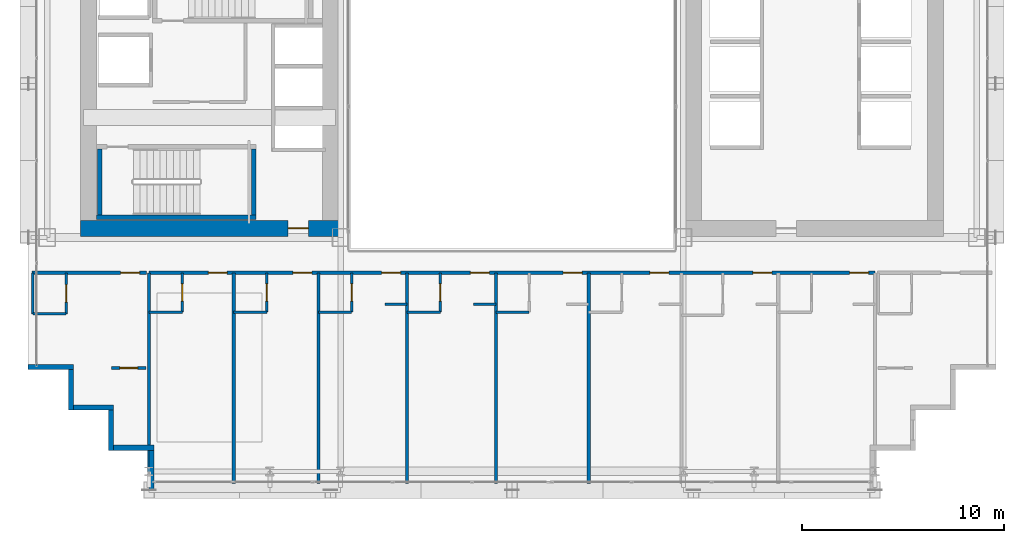
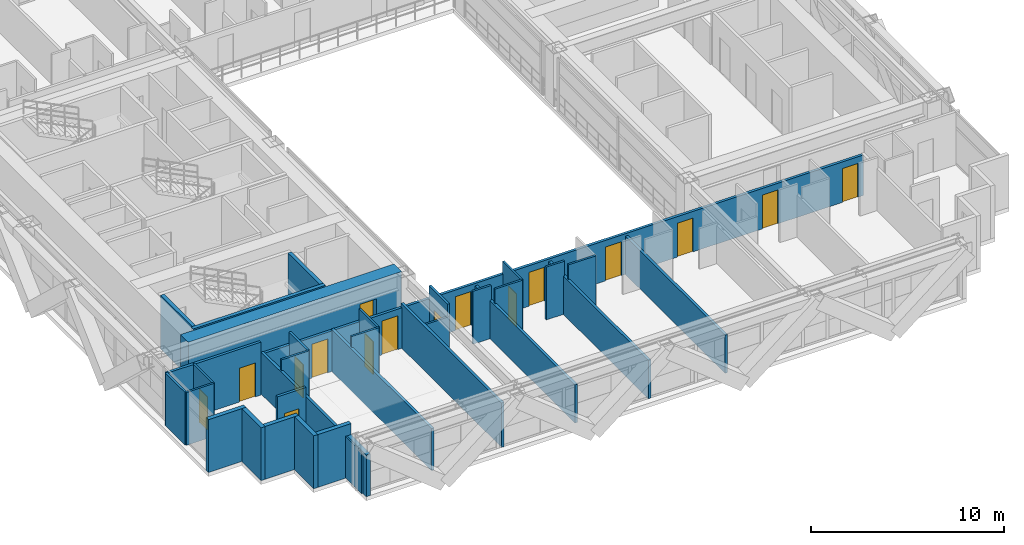
# One storey, part 33 of 41: 33 walls, 16 doors, 16 openings.
"""IFC4 building model written with IfcOpenShell, lengths in metres."""

import ifcopenshell
import ifcopenshell.guid

model = None  # the IFC model being written
_history = None  # IfcOwnerHistory: only IFC2X3 demands one
_inside = {}  # id of a spatial element -> (the spatial element, [elements in it])
_under = {}  # id of a project, library or spatial element -> (it, [spatial elements below it])
_declared = {}  # id of a project -> (the project, [libraries it declares])
_typed = {}  # id of a type object -> (the type object, [elements of that type])
_made_of = {}  # id of a material, layer set ... -> (it, [elements and type objects made of it])


def new_model(schema):
    """Start an empty IFC model of exactly this schema.

    Asked for "IFC4X3", IfcOpenShell would pick the latest addendum, in which some entities
    have other attributes; the version numbers below select the first issue.
    IFC2X3 requires an IfcOwnerHistory on every rooted entity: one is made here for all.
    """
    global model, _history
    if schema == "IFC4X3":
        model = ifcopenshell.file(schema_version=(4, 3, 0, 0))
    else:
        model = ifcopenshell.file(schema=schema)
    _inside.clear()
    _under.clear()
    _declared.clear()
    _typed.clear()
    _made_of.clear()
    _history = None
    if model.schema == "IFC2X3":
        org = make("IfcOrganization", Name="unknown")
        user = make(
            "IfcPersonAndOrganization",
            ThePerson=make("IfcPerson", FamilyName="unknown"),
            TheOrganization=org,
        )
        app = make(
            "IfcApplication",
            ApplicationDeveloper=org,
            Version="unknown",
            ApplicationFullName="unknown",
            ApplicationIdentifier="unknown",
        )
        _history = make(
            "IfcOwnerHistory",
            OwningUser=user,
            OwningApplication=app,
            ChangeAction="ADDED",
            CreationDate=0,
        )
    return model


def make(cls, **values):
    """One entity of the class cls with the attributes given. An attribute that is None is left unset."""
    return model.create_entity(
        cls, **{name: value for name, value in values.items() if value is not None}
    )


def rooted(cls, **values):
    """An entity with a GlobalId (a new one), such as an element, a storey or a relation."""
    return make(cls, GlobalId=ifcopenshell.guid.new(), OwnerHistory=_history, **values)


def si_unit(unit_type, name, prefix=None):
    """IfcSIUnit, for example si_unit("LENGTHUNIT", "METRE", prefix="MILLI")."""
    return make("IfcSIUnit", UnitType=unit_type, Prefix=prefix, Name=name)


def assignment(units):
    """IfcUnitAssignment: the units of a project."""
    return None if units is None else make("IfcUnitAssignment", Units=units)


def point(xyz):
    """IfcCartesianPoint."""
    return None if xyz is None else make("IfcCartesianPoint", Coordinates=xyz)


def direction(xyz):
    """IfcDirection."""
    return None if xyz is None else make("IfcDirection", DirectionRatios=xyz)


def frame(location, z_axis=None, x_axis=None):
    """IfcAxis2Placement3D, a coordinate frame: its origin and axes. An axis left out is left unset."""
    return make(
        "IfcAxis2Placement3D",
        Location=point(location),
        Axis=direction(z_axis),
        RefDirection=direction(x_axis),
    )


def frame_2d(location, x_axis=None):
    """IfcAxis2Placement2D, a coordinate frame in the plane: its origin and x axis."""
    return make(
        "IfcAxis2Placement2D", Location=point(location), RefDirection=direction(x_axis)
    )


def origin():
    """The frame at (0, 0, 0) with its axes left unset."""
    return frame((0.0, 0.0, 0.0))


def place(relative_to, where):
    """IfcLocalPlacement: puts the frame where relative to a parent placement (None: the world)."""
    return make(
        "IfcLocalPlacement", PlacementRelTo=relative_to, RelativePlacement=where
    )


def context(
    kind, dimensions, precision=None, world=None, true_north=None, identifier=None
):
    """IfcGeometricRepresentationContext, for example the 3D "Model" context."""
    return make(
        "IfcGeometricRepresentationContext",
        ContextIdentifier=identifier,
        ContextType=kind,
        CoordinateSpaceDimension=dimensions,
        Precision=precision,
        WorldCoordinateSystem=world,
        TrueNorth=true_north,
    )


def subcontext(parent, identifier, kind, view, scale=None):
    """IfcGeometricRepresentationSubContext, for example "Body" below "Model"."""
    return make(
        "IfcGeometricRepresentationSubContext",
        ContextIdentifier=identifier,
        ContextType=kind,
        ParentContext=parent,
        TargetScale=scale,
        TargetView=view,
    )


def project(units=None, contexts=None):
    """IfcProject with its units and contexts."""
    return rooted(
        "IfcProject",
        Name="project",
        RepresentationContexts=contexts,
        UnitsInContext=assignment(units),
    )


def spatial(cls, under=None, at=None, **own):
    """A site, building, storey or space (cls), placed at a placement, below another one or the project."""
    s = rooted(cls, ObjectPlacement=at, **own)
    if under is not None:
        _under.setdefault(under.id(), (under, []))[1].append(s)
    return s


def profile(cls, at=None, kind="AREA", **sizes):
    """A parametric profile (cls). Its sizes go by their IFC names, for example OverallWidth=200.0."""
    return make(cls, ProfileType=kind, Position=at, **sizes)


def rectangle(**sizes):
    """IfcRectangleProfileDef."""
    return profile("IfcRectangleProfileDef", **sizes)


def extrude(swept, where, along, depth):
    """IfcExtrudedAreaSolid: the profile swept, set in the frame where, extruded along a direction by depth."""
    return make(
        "IfcExtrudedAreaSolid",
        SweptArea=swept,
        Position=where,
        ExtrudedDirection=direction(along),
        Depth=depth,
    )


def shape(context_of_items, identifier, shape_type, items):
    """IfcShapeRepresentation: the items that make up one representation, for example the "Body"."""
    return make(
        "IfcShapeRepresentation",
        ContextOfItems=context_of_items,
        RepresentationIdentifier=identifier,
        RepresentationType=shape_type,
        Items=items,
    )


def source(mapping_origin, context_of_items, identifier, shape_type, items):
    """IfcRepresentationMap: a shape defined once, which mapped items show again and again."""
    return make(
        "IfcRepresentationMap",
        MappingOrigin=mapping_origin,
        MappedRepresentation=shape(context_of_items, identifier, shape_type, items),
    )


def transform(
    local_origin,
    x_axis=None,
    y_axis=None,
    z_axis=None,
    scale=None,
    scale2=None,
    scale3=None,
    uniform=True,
):
    """IfcCartesianTransformationOperator3D, or its non-uniform kind. x_axis, y_axis, z_axis: its Axis1, 2, 3."""
    if uniform:
        return make(
            "IfcCartesianTransformationOperator3D",
            Axis1=direction(x_axis),
            Axis2=direction(y_axis),
            LocalOrigin=point(local_origin),
            Scale=scale,
            Axis3=direction(z_axis),
        )
    return make(
        "IfcCartesianTransformationOperator3DnonUniform",
        Axis1=direction(x_axis),
        Axis2=direction(y_axis),
        LocalOrigin=point(local_origin),
        Scale=scale,
        Axis3=direction(z_axis),
        Scale2=scale2,
        Scale3=scale3,
    )


def mapped(mapping_source, mapping_target):
    """IfcMappedItem: shows the shape of a source again, moved by a transform."""
    return make(
        "IfcMappedItem", MappingSource=mapping_source, MappingTarget=mapping_target
    )


def material(Name=None, Category=None):
    """IfcMaterial."""
    return make("IfcMaterial", Name=Name, Category=Category)


def layer(
    of_material, thickness, ventilated=None, Name=None, Category=None, Priority=None
):
    """IfcMaterialLayer: one layer of a wall or slab, of a material (None: an air gap)."""
    return make(
        "IfcMaterialLayer",
        Material=of_material,
        LayerThickness=thickness,
        IsVentilated=ventilated,
        Name=Name,
        Category=Category,
        Priority=Priority,
    )


def layer_set(layers, Name=None):
    """IfcMaterialLayerSet."""
    return make("IfcMaterialLayerSet", MaterialLayers=layers, LayerSetName=Name)


def made_of(thing, what):
    """Note that an element or type object is made of a material, layer set ...; save() writes the relation."""
    if what is not None:
        _made_of.setdefault(what.id(), (what, []))[1].append(thing)
    return thing


def type_object(cls, material=None, **own):
    """A type object (cls), such as IfcWallType, which elements share."""
    return made_of(rooted(cls, **own), material)


def element(
    cls,
    number,
    at=None,
    inside=None,
    cuts=None,
    type_object=None,
    material=None,
    context=None,
    identifier="Body",
    shape_type=None,
    held_by="IfcProductDefinitionShape",
    body=None,
    shapes=None,
    **own,
):
    """One element of the class cls, such as IfcWall. Its Tag is "e" and its number.

    at: its placement. inside: the storey or other place that contains it. cuts: it is an
    opening in that element (IfcRelVoidsElement). A single representation is given by context,
    identifier, shape_type and body (its items); several are given by shapes. held_by: the class
    of the entity that holds the representations. save() writes the other relations.
    """
    e = rooted(cls, Tag="e%d" % number, ObjectPlacement=at, **own)
    if body is not None:
        shapes = [shape(context, identifier, shape_type, body)]
    if shapes is not None:
        e.Representation = make(held_by, Representations=shapes)
    if inside is not None:
        _inside.setdefault(inside.id(), (inside, []))[1].append(e)
    if cuts is not None:
        rooted(
            "IfcRelVoidsElement", RelatingBuildingElement=cuts, RelatedOpeningElement=e
        )
    if type_object is not None:
        _typed.setdefault(type_object.id(), (type_object, []))[1].append(e)
    return made_of(e, material)


def fill(opening, filler):
    """IfcRelFillsElement: the door or window that sits in an opening."""
    return rooted(
        "IfcRelFillsElement",
        RelatingOpeningElement=opening,
        RelatedBuildingElement=filler,
    )


def aggregate(whole, parts):
    """IfcRelAggregates: a whole, such as a stair, and the parts it consists of."""
    return rooted("IfcRelAggregates", RelatingObject=whole, RelatedObjects=parts)


def save(model, path):
    """Write the relations noted so far, then the file.

    IfcRelAggregates (storeys below a building ...), IfcRelContainedInSpatialStructure (elements
    in a storey), IfcRelDefinesByType, IfcRelAssociatesMaterial and IfcRelDeclares: one each for
    every whole, place, type object, material and project.
    """
    for whole, parts in _under.values():
        aggregate(whole, parts)
    for where, things in _inside.values():
        rooted(
            "IfcRelContainedInSpatialStructure",
            RelatedElements=things,
            RelatingStructure=where,
        )
    for kind, things in _typed.values():
        rooted("IfcRelDefinesByType", RelatedObjects=things, RelatingType=kind)
    for what, things in _made_of.values():
        rooted("IfcRelAssociatesMaterial", RelatedObjects=things, RelatingMaterial=what)
    for by, libraries in _declared.values():
        rooted("IfcRelDeclares", RelatingContext=by, RelatedDefinitions=libraries)
    model.write(path)


model = new_model("IFC4")

# Units and contexts
model_context = context("Model", 3, precision=1e-05, world=origin(), true_north=direction((0.0, 1.0)))
body_context = subcontext(model_context, "Body", "Model", "MODEL_VIEW")
ifc_project = project(units=[si_unit("LENGTHUNIT", "METRE"), si_unit("AREAUNIT", "SQUARE_METRE"), si_unit("VOLUMEUNIT", "CUBIC_METRE"), si_unit("PLANEANGLEUNIT", "RADIAN"), si_unit("MASSUNIT", "GRAM", prefix="KILO")], contexts=[model_context])

# Site, building, storey
site_placement = place(None, origin())
site = spatial("IfcSite", under=ifc_project, at=site_placement, CompositionType="ELEMENT")
building_placement = place(site_placement, origin())
building = spatial("IfcBuilding", under=site, at=building_placement, Name="Ocotamira Hotel", CompositionType="ELEMENT")
storey_placement = place(building_placement, frame((0.0, 0.0, 38.39990234375)))
storey = spatial("IfcBuildingStorey", under=building, at=storey_placement, Name="L08", CompositionType="ELEMENT", Elevation=38.39990234375)

# Wall, opening, door
ifc_material_1 = material(Name="Concrete C60/75", Category="concrete")
ifc_layer_1 = layer(ifc_material_1, 0.800048828125)
ifc_layer_set_1 = layer_set([ifc_layer_1], Name="Concrete C60/75")
wall_type_1 = type_object("IfcWallType", Name="WL-CORE-800", PredefinedType="SHEAR", material=ifc_layer_set_1)
wall_1_placement = place(storey_placement, frame((10.60009765625, 15.0, 0.0), z_axis=(0.0, 0.0, 1.0), x_axis=(1.0, 0.0, 0.0)))
wall_1 = element("IfcWall", 1, at=wall_1_placement, inside=storey, type_object=wall_type_1, Name="L08 Shear Core Wall WCORE-S", PredefinedType="SHEAR", context=body_context, shape_type="SweptSolid", body=[
    extrude(rectangle(XDim=12.7998046875, YDim=0.800048828125, at=frame_2d((6.39990234375, 0.0))), origin(), (0.0, 0.0, 1.0), 3.35009765625),
])
opening_1_placement = place(wall_1_placement, frame((10.300048828125, 0.0, 0.0)))
opening_1 = element("IfcOpeningElement", 2, at=opening_1_placement, cuts=wall_1, Name="Opening D-FR2", PredefinedType="OPENING", context=body_context, shape_type="SweptSolid", body=[
    extrude(rectangle(XDim=1.0, YDim=2.14990234375, at=frame_2d((0.5, 1.074951171875))), frame((0.0, 0.41015625, 0.0), z_axis=(0.0, -1.0, 0.0), x_axis=(1.0, 0.0, 0.0)), (0.0, 0.0, 1.0), 0.820068359375),
])
ifc_material_2 = material(Name="Fire-rated acoustic timber-veneer door", Category="wood")
door_type_1 = type_object("IfcDoorType", Name="DR-FIRE-1000", OperationType="NOTDEFINED", PredefinedType="DOOR", material=ifc_material_2)
shared_shape_1 = source(origin(), body_context, "Body", "SweptSolid", [
    extrude(rectangle(XDim=1.0, YDim=2.14990234375, at=frame_2d((0.5, 1.074951171875))), frame((0.0, 0.02490234375, 0.0), z_axis=(0.0, -1.0, 0.0), x_axis=(1.0, 0.0, 0.0)), (0.0, 0.0, 1.0), 0.050048828125),
])
door_1_placement = place(opening_1_placement, origin())
door_1 = element("IfcDoor", 3, at=door_1_placement, inside=storey, type_object=door_type_1, Name="L08 Door ID-L08-WLOB-S-D [ID-L08-WLOB-S-D]", OperationType="SINGLE_SWING_LEFT", OverallHeight=2.14990234375, OverallWidth=1.0, PredefinedType="DOOR", context=body_context, shape_type="MappedRepresentation", body=[
    mapped(shared_shape_1, transform((0.0, 0.0, 0.0), scale=1.0)),
])
fill(opening_1, door_1)

# Walls
ifc_material_3 = material(Name="Precast concrete C45/55", Category="concrete")
ifc_layer_2 = layer(ifc_material_3, 0.25)
ifc_layer_set_2 = layer_set([ifc_layer_2], Name="Precast concrete C45/55")
wall_type_2 = type_object("IfcWallType", Name="WL-EXT-SER-250", PredefinedType="SOLIDWALL", material=ifc_layer_set_2)
wall_2_placement = place(storey_placement, frame((8.0, 8.125, 0.0), z_axis=(0.0, 0.0, 1.0), x_axis=(1.0, 0.0, 0.0)))
element("IfcWall", 4, at=wall_2_placement, inside=storey, type_object=wall_type_2, Name="L08 Serrated Corner Wall 19", PredefinedType="SOLIDWALL", context=body_context, shape_type="SweptSolid", body=[
    extrude(rectangle(XDim=2.25, YDim=0.25, at=frame_2d((1.125, 0.0))), origin(), (0.0, 0.0, 1.0), 3.35009765625),
])
for number, where, z_axis, x_axis, name in (
    (5, (10.125, 8.0, 0.0), (0.0, 0.0, 1.0), (0.0, -1.0, 0.0), "L08 Serrated Corner Wall 20"),
    (6, (10.25, 6.125, 0.0), (0.0, 0.0, 1.0), (1.0, 0.0, 0.0), "L08 Serrated Corner Wall 21"),
    (7, (12.125, 6.0, 0.0), (0.0, 0.0, 1.0), (0.0, -1.0, 0.0), "L08 Serrated Corner Wall 22"),
    (8, (12.25, 4.125, 0.0), (0.0, 0.0, 1.0), (1.0, 0.0, 0.0), "L08 Serrated Corner Wall 23"),
):
    element("IfcWall", number, at=place(storey_placement, frame(where, z_axis=z_axis, x_axis=x_axis)), inside=storey, type_object=wall_type_2, Name=name, PredefinedType="SOLIDWALL", context=body_context, shape_type="SweptSolid", body=[
        extrude(rectangle(XDim=2.0, YDim=0.25, at=frame_2d((1.0, 0.0))), origin(), (0.0, 0.0, 1.0), 3.35009765625),
    ])
wall_3_placement = place(storey_placement, frame((14.125, 4.0, 0.0), z_axis=(0.0, 0.0, 1.0), x_axis=(0.0, -1.0, 0.0)))
element("IfcWall", 9, at=wall_3_placement, inside=storey, type_object=wall_type_2, Name="L08 Serrated Corner Wall 24", PredefinedType="SOLIDWALL", context=body_context, shape_type="SweptSolid", body=[
    extrude(rectangle(XDim=2.0, YDim=0.25, at=frame_2d((1.0, 0.0))), origin(), (0.0, 0.0, 1.0), 2.656982421875),
])

# Wall, opening, door
ifc_material_4 = material(Name="Acoustic double-layer fire gypsum board partition", Category="gypsum")
ifc_layer_3 = layer(ifc_material_4, 0.159912109375)
ifc_layer_set_3 = layer_set([ifc_layer_3], Name="Acoustic double-layer fire gypsum board partition")
wall_type_3 = type_object("IfcWallType", Name="WL-FIRE-160", PredefinedType="PARTITIONING", material=ifc_layer_set_3)
wall_4_placement = place(storey_placement, frame((8.199951171875, 12.800048828125, 0.0), z_axis=(0.0, 0.0, 1.0), x_axis=(1.0, 0.0, 0.0)))
wall_4 = element("IfcWall", 10, at=wall_4_placement, inside=storey, type_object=wall_type_3, Name="L08 Interior Wall PW-L08-Z1A-CSW-CW", PredefinedType="PARTITIONING", context=body_context, shape_type="SweptSolid", body=[
    extrude(rectangle(XDim=5.679931640625, YDim=0.159912109375, at=frame_2d((2.83984375, 0.0))), origin(), (0.0, 0.0, 1.0), 3.35009765625),
])
opening_2_placement = place(wall_4_placement, frame((4.39990234375, 0.0, 0.0)))
opening_2 = element("IfcOpeningElement", 11, at=opening_2_placement, cuts=wall_4, Name="Opening D-GR1", PredefinedType="OPENING", context=body_context, shape_type="SweptSolid", body=[
    extrude(rectangle(XDim=0.93994140625, YDim=2.14990234375, at=frame_2d((0.469970703125, 1.074951171875))), frame((0.0, 0.08984375, 0.0), z_axis=(0.0, -1.0, 0.0), x_axis=(1.0, 0.0, 0.0)), (0.0, 0.0, 1.0), 0.179931640625),
])
ifc_material_5 = material(Name="Solid-core walnut suite entrance fire door", Category="wood")
door_type_2 = type_object("IfcDoorType", Name="DR-GUEST-940", OperationType="NOTDEFINED", PredefinedType="DOOR", material=ifc_material_5)
shared_shape_2 = source(origin(), body_context, "Body", "SweptSolid", [
    extrude(rectangle(XDim=0.93994140625, YDim=2.14990234375, at=frame_2d((0.469970703125, 1.074951171875))), frame((0.0, 0.02490234375, 0.0), z_axis=(0.0, -1.0, 0.0), x_axis=(1.0, 0.0, 0.0)), (0.0, 0.0, 1.0), 0.050048828125),
])
door_2_placement = place(opening_2_placement, origin())
door_2 = element("IfcDoor", 12, at=door_2_placement, inside=storey, type_object=door_type_2, Name="L08 Door ID-L08-Z1A-CSW-CD [ID-L08-Z1A-CSW-CD]", OperationType="SINGLE_SWING_RIGHT", OverallHeight=2.14990234375, OverallWidth=0.93994140625, PredefinedType="DOOR", context=body_context, shape_type="MappedRepresentation", body=[
    mapped(shared_shape_2, transform((0.0, 0.0, 0.0), scale=1.0)),
])
fill(opening_2, door_2)

wall_5_placement = place(storey_placement, frame((12.14990234375, 8.080078125, 0.0), z_axis=(0.0, 0.0, 1.0), x_axis=(1.0, 0.0, 0.0)))
wall_5 = element("IfcWall", 13, at=wall_5_placement, inside=storey, type_object=wall_type_3, Name="L08 Interior Wall PW-L08-Z1A-CSW2-CW", PredefinedType="PARTITIONING", context=body_context, shape_type="SweptSolid", body=[
    extrude(rectangle(XDim=1.7001953125, YDim=0.159912109375, at=frame_2d((0.85009765625, 0.0))), origin(), (0.0, 0.0, 1.0), 3.35009765625),
])
opening_3_placement = place(wall_5_placement, frame((0.409912109375, 0.0, 0.0)))
opening_3 = element("IfcOpeningElement", 14, at=opening_3_placement, cuts=wall_5, Name="Opening D-SV2", PredefinedType="OPENING", context=body_context, shape_type="SweptSolid", body=[
    extrude(rectangle(XDim=0.8798828125, YDim=2.14990234375, at=frame_2d((0.43994140625, 1.074951171875))), frame((0.0, 0.08984375, 0.0), z_axis=(0.0, -1.0, 0.0), x_axis=(1.0, 0.0, 0.0)), (0.0, 0.0, 1.0), 0.179931640625),
])
ifc_material_6 = material(Name="Fire-rated painted steel service door", Category="steel")
door_type_3 = type_object("IfcDoorType", Name="DR-SERV-880", OperationType="NOTDEFINED", PredefinedType="DOOR", material=ifc_material_6)
shared_shape_3 = source(origin(), body_context, "Body", "SweptSolid", [
    extrude(rectangle(XDim=0.8798828125, YDim=2.14990234375, at=frame_2d((0.43994140625, 1.074951171875))), frame((0.0, 0.02490234375, 0.0), z_axis=(0.0, -1.0, 0.0), x_axis=(1.0, 0.0, 0.0)), (0.0, 0.0, 1.0), 0.050048828125),
])
door_3_placement = place(opening_3_placement, origin())
door_3 = element("IfcDoor", 15, at=door_3_placement, inside=storey, type_object=door_type_3, Name="L08 Door ID-L08-Z1A-CSW2-CD [ID-L08-Z1A-CSW2-CD]", OperationType="SINGLE_SWING_LEFT", OverallHeight=2.14990234375, OverallWidth=0.8798828125, PredefinedType="DOOR", context=body_context, shape_type="MappedRepresentation", body=[
    mapped(shared_shape_3, transform((0.0, 0.0, 0.0), scale=1.0)),
])
fill(opening_3, door_3)

# Wall, openings, doors
wall_6_placement = place(storey_placement, frame((14.0, 12.800048828125, 0.0), z_axis=(0.0, 0.0, 1.0), x_axis=(1.0, 0.0, 0.0)))
wall_6 = element("IfcWall", 16, at=wall_6_placement, inside=storey, type_object=wall_type_3, Name="L08 Interior Wall PW-L08-Z1AS-CORRW", PredefinedType="PARTITIONING", context=body_context, shape_type="SweptSolid", body=[
    extrude(rectangle(XDim=36.0, YDim=0.159912109375, at=frame_2d((18.0, 0.0))), origin(), (0.0, 0.0, 1.0), 2.571044921875),
])
opening_4_placement = place(wall_6_placement, frame((2.93994140625, 0.0, 0.0)))
opening_4 = element("IfcOpeningElement", 17, at=opening_4_placement, cuts=wall_6, Name="Opening D-GR1", PredefinedType="OPENING", context=body_context, shape_type="SweptSolid", body=[
    extrude(rectangle(XDim=0.93994140625, YDim=2.14990234375, at=frame_2d((0.469970703125, 1.074951171875))), frame((0.0, 0.08984375, 0.0), z_axis=(0.0, -1.0, 0.0), x_axis=(1.0, 0.0, 0.0)), (0.0, 0.0, 1.0), 0.179931640625),
])
opening_5_placement = place(wall_6_placement, frame((7.139892578125, 0.0, 0.0)))
opening_5 = element("IfcOpeningElement", 18, at=opening_5_placement, cuts=wall_6, Name="Opening D-GR1", PredefinedType="OPENING", context=body_context, shape_type="SweptSolid", body=[
    extrude(rectangle(XDim=0.93994140625, YDim=2.14990234375, at=frame_2d((0.469970703125, 1.074951171875))), frame((0.0, 0.08984375, 0.0), z_axis=(0.0, -1.0, 0.0), x_axis=(1.0, 0.0, 0.0)), (0.0, 0.0, 1.0), 0.179931640625),
])
opening_6_placement = place(wall_6_placement, frame((11.5400390625, 0.0, 0.0)))
opening_6 = element("IfcOpeningElement", 19, at=opening_6_placement, cuts=wall_6, Name="Opening D-GR1", PredefinedType="OPENING", context=body_context, shape_type="SweptSolid", body=[
    extrude(rectangle(XDim=0.93994140625, YDim=2.14990234375, at=frame_2d((0.469970703125, 1.074951171875))), frame((0.0, 0.08984375, 0.0), z_axis=(0.0, -1.0, 0.0), x_axis=(1.0, 0.0, 0.0)), (0.0, 0.0, 1.0), 0.179931640625),
])
opening_7_placement = place(wall_6_placement, frame((15.93994140625, 0.0, 0.0)))
opening_7 = element("IfcOpeningElement", 20, at=opening_7_placement, cuts=wall_6, Name="Opening D-GR1", PredefinedType="OPENING", context=body_context, shape_type="SweptSolid", body=[
    extrude(rectangle(XDim=0.93994140625, YDim=2.14990234375, at=frame_2d((0.469970703125, 1.074951171875))), frame((0.0, 0.08984375, 0.0), z_axis=(0.0, -1.0, 0.0), x_axis=(1.0, 0.0, 0.0)), (0.0, 0.0, 1.0), 0.179931640625),
])
opening_8_placement = place(wall_6_placement, frame((20.5400390625, 0.0, 0.0)))
opening_8 = element("IfcOpeningElement", 21, at=opening_8_placement, cuts=wall_6, Name="Opening D-GR1", PredefinedType="OPENING", context=body_context, shape_type="SweptSolid", body=[
    extrude(rectangle(XDim=0.93994140625, YDim=2.14990234375, at=frame_2d((0.469970703125, 1.074951171875))), frame((0.0, 0.08984375, 0.0), z_axis=(0.0, -1.0, 0.0), x_axis=(1.0, 0.0, 0.0)), (0.0, 0.0, 1.0), 0.179931640625),
])
opening_9_placement = place(wall_6_placement, frame((24.840087890625, 0.0, 0.0)))
opening_9 = element("IfcOpeningElement", 22, at=opening_9_placement, cuts=wall_6, Name="Opening D-GR1", PredefinedType="OPENING", context=body_context, shape_type="SweptSolid", body=[
    extrude(rectangle(XDim=0.93994140625, YDim=2.14990234375, at=frame_2d((0.469970703125, 1.074951171875))), frame((0.0, 0.08984375, 0.0), z_axis=(0.0, -1.0, 0.0), x_axis=(1.0, 0.0, 0.0)), (0.0, 0.0, 1.0), 0.179931640625),
])
opening_10_placement = place(wall_6_placement, frame((29.93994140625, 0.0, 0.0)))
opening_10 = element("IfcOpeningElement", 23, at=opening_10_placement, cuts=wall_6, Name="Opening D-GR1", PredefinedType="OPENING", context=body_context, shape_type="SweptSolid", body=[
    extrude(rectangle(XDim=0.93994140625, YDim=2.14990234375, at=frame_2d((0.469970703125, 1.074951171875))), frame((0.0, 0.08984375, 0.0), z_axis=(0.0, -1.0, 0.0), x_axis=(1.0, 0.0, 0.0)), (0.0, 0.0, 1.0), 0.179931640625),
])
opening_11_placement = place(wall_6_placement, frame((34.739990234375, 0.0, 0.0)))
opening_11 = element("IfcOpeningElement", 24, at=opening_11_placement, cuts=wall_6, Name="Opening D-GR1", PredefinedType="OPENING", context=body_context, shape_type="SweptSolid", body=[
    extrude(rectangle(XDim=0.93994140625, YDim=2.14990234375, at=frame_2d((0.469970703125, 1.074951171875))), frame((0.0, 0.08984375, 0.0), z_axis=(0.0, -1.0, 0.0), x_axis=(1.0, 0.0, 0.0)), (0.0, 0.0, 1.0), 0.179931640625),
])
door_4_placement = place(opening_4_placement, origin())
door_4 = element("IfcDoor", 25, at=door_4_placement, inside=storey, type_object=door_type_2, Name="L08 Door ID-L08-Z1AS-RMD1 [ID-L08-Z1AS-RMD1]", OperationType="SINGLE_SWING_LEFT", OverallHeight=2.14990234375, OverallWidth=0.93994140625, PredefinedType="DOOR", context=body_context, shape_type="MappedRepresentation", body=[
    mapped(shared_shape_2, transform((0.0, 0.0, 0.0), scale=1.0)),
])
fill(opening_4, door_4)
door_5_placement = place(opening_5_placement, origin())
door_5 = element("IfcDoor", 26, at=door_5_placement, inside=storey, type_object=door_type_2, Name="L08 Door ID-L08-Z1AS-RMD2 [ID-L08-Z1AS-RMD2]", OperationType="SINGLE_SWING_RIGHT", OverallHeight=2.14990234375, OverallWidth=0.93994140625, PredefinedType="DOOR", context=body_context, shape_type="MappedRepresentation", body=[
    mapped(shared_shape_2, transform((0.0, 0.0, 0.0), scale=1.0)),
])
fill(opening_5, door_5)
door_6_placement = place(opening_6_placement, origin())
door_6 = element("IfcDoor", 27, at=door_6_placement, inside=storey, type_object=door_type_2, Name="L08 Door ID-L08-Z1AS-RMD3 [ID-L08-Z1AS-RMD3]", OperationType="SINGLE_SWING_LEFT", OverallHeight=2.14990234375, OverallWidth=0.93994140625, PredefinedType="DOOR", context=body_context, shape_type="MappedRepresentation", body=[
    mapped(shared_shape_2, transform((0.0, 0.0, 0.0), scale=1.0)),
])
fill(opening_6, door_6)
door_7_placement = place(opening_7_placement, origin())
door_7 = element("IfcDoor", 28, at=door_7_placement, inside=storey, type_object=door_type_2, Name="L08 Door ID-L08-Z1AS-RMD4 [ID-L08-Z1AS-RMD4]", OperationType="SINGLE_SWING_RIGHT", OverallHeight=2.14990234375, OverallWidth=0.93994140625, PredefinedType="DOOR", context=body_context, shape_type="MappedRepresentation", body=[
    mapped(shared_shape_2, transform((0.0, 0.0, 0.0), scale=1.0)),
])
fill(opening_7, door_7)
door_8_placement = place(opening_8_placement, origin())
door_8 = element("IfcDoor", 29, at=door_8_placement, inside=storey, type_object=door_type_2, Name="L08 Door ID-L08-Z1AS-RMD5 [ID-L08-Z1AS-RMD5]", OperationType="SINGLE_SWING_LEFT", OverallHeight=2.14990234375, OverallWidth=0.93994140625, PredefinedType="DOOR", context=body_context, shape_type="MappedRepresentation", body=[
    mapped(shared_shape_2, transform((0.0, 0.0, 0.0), scale=1.0)),
])
fill(opening_8, door_8)
door_9_placement = place(opening_9_placement, origin())
door_9 = element("IfcDoor", 30, at=door_9_placement, inside=storey, type_object=door_type_2, Name="L08 Door ID-L08-Z1AS-RMD6 [ID-L08-Z1AS-RMD6]", OperationType="SINGLE_SWING_RIGHT", OverallHeight=2.14990234375, OverallWidth=0.93994140625, PredefinedType="DOOR", context=body_context, shape_type="MappedRepresentation", body=[
    mapped(shared_shape_2, transform((0.0, 0.0, 0.0), scale=1.0)),
])
fill(opening_9, door_9)
door_10_placement = place(opening_10_placement, origin())
door_10 = element("IfcDoor", 31, at=door_10_placement, inside=storey, type_object=door_type_2, Name="L08 Door ID-L08-Z1AS-RMD7 [ID-L08-Z1AS-RMD7]", OperationType="SINGLE_SWING_LEFT", OverallHeight=2.14990234375, OverallWidth=0.93994140625, PredefinedType="DOOR", context=body_context, shape_type="MappedRepresentation", body=[
    mapped(shared_shape_2, transform((0.0, 0.0, 0.0), scale=1.0)),
])
fill(opening_10, door_10)
door_11_placement = place(opening_11_placement, origin())
door_11 = element("IfcDoor", 32, at=door_11_placement, inside=storey, type_object=door_type_2, Name="L08 Door ID-L08-Z1AS-RMD8 [ID-L08-Z1AS-RMD8]", OperationType="SINGLE_SWING_RIGHT", OverallHeight=2.14990234375, OverallWidth=0.93994140625, PredefinedType="DOOR", context=body_context, shape_type="MappedRepresentation", body=[
    mapped(shared_shape_2, transform((0.0, 0.0, 0.0), scale=1.0)),
])
fill(opening_11, door_11)

# Wall, opening, door
ifc_material_7 = material(Name="Moisture-resistant en-suite tile and gypsum partition", Category="gypsum")
ifc_layer_4 = layer(ifc_material_7, 0.1201171875)
ifc_layer_set_4 = layer_set([ifc_layer_4], Name="Moisture-resistant en-suite tile and gypsum partition")
wall_type_4 = type_object("IfcWallType", Name="WL-PART-120", PredefinedType="PARTITIONING", material=ifc_layer_set_4)
wall_7_placement = place(storey_placement, frame((9.889892578125, 10.760009765625, 0.0), z_axis=(0.0, 0.0, 1.0), x_axis=(0.0, 1.0, 0.0)))
wall_7 = element("IfcWall", 33, at=wall_7_placement, inside=storey, type_object=wall_type_4, Name="L08 Interior Wall PW-L08-Z1A-CSW-BE", PredefinedType="PARTITIONING", context=body_context, shape_type="SweptSolid", body=[
    extrude(rectangle(XDim=2.0400390625, YDim=0.1201171875, at=frame_2d((1.02001953125, 0.0))), origin(), (0.0, 0.0, 1.0), 3.35009765625),
])
opening_12_placement = place(wall_7_placement, frame((0.590087890625, 0.0, 0.0)))
opening_12 = element("IfcOpeningElement", 34, at=opening_12_placement, cuts=wall_7, Name="Opening D-BA1", PredefinedType="OPENING", context=body_context, shape_type="SweptSolid", body=[
    extrude(rectangle(XDim=0.860107421875, YDim=2.10009765625, at=frame_2d((0.43017578125, 1.050048828125))), frame((0.0, 0.070068359375, 0.0), z_axis=(0.0, -1.0, 0.0), x_axis=(1.0, 0.0, 0.0)), (0.0, 0.0, 1.0), 0.14013671875),
])
ifc_material_8 = material(Name="Moisture-sealed en-suite timber door", Category="wood")
door_type_4 = type_object("IfcDoorType", Name="DR-BATH-860", OperationType="NOTDEFINED", PredefinedType="DOOR", material=ifc_material_8)
shared_shape_4 = source(origin(), body_context, "Body", "SweptSolid", [
    extrude(rectangle(XDim=0.860107421875, YDim=2.10009765625, at=frame_2d((0.43017578125, 1.050048828125))), frame((0.0, 0.02490234375, 0.0), z_axis=(0.0, -1.0, 0.0), x_axis=(1.0, 0.0, 0.0)), (0.0, 0.0, 1.0), 0.050048828125),
])
door_12_placement = place(opening_12_placement, origin())
door_12 = element("IfcDoor", 35, at=door_12_placement, inside=storey, type_object=door_type_4, Name="L08 Door ID-L08-Z1A-CSW-BD [ID-L08-Z1A-CSW-BD]", OperationType="SINGLE_SWING_LEFT", OverallHeight=2.10009765625, OverallWidth=0.860107421875, PredefinedType="DOOR", context=body_context, shape_type="MappedRepresentation", body=[
    mapped(shared_shape_4, transform((0.0, 0.0, 0.0), scale=1.0)),
])
fill(opening_12, door_12)

# Walls
wall_8_placement = place(storey_placement, frame((8.239990234375, 10.760009765625, 0.0), z_axis=(0.0, 0.0, 1.0), x_axis=(0.0, 1.0, 0.0)))
element("IfcWall", 36, at=wall_8_placement, inside=storey, type_object=wall_type_4, Name="L08 Interior Wall PW-L08-Z1A-CSW-BW", PredefinedType="PARTITIONING", context=body_context, shape_type="SweptSolid", body=[
    extrude(rectangle(XDim=2.0400390625, YDim=0.1201171875, at=frame_2d((1.02001953125, 0.0))), origin(), (0.0, 0.0, 1.0), 3.35009765625),
])
wall_9_placement = place(storey_placement, frame((8.239990234375, 10.760009765625, 0.0), z_axis=(0.0, 0.0, 1.0), x_axis=(1.0, 0.0, 0.0)))
element("IfcWall", 37, at=wall_9_placement, inside=storey, type_object=wall_type_4, Name="L08 Interior Wall PW-L08-Z1A-CSW-BH", PredefinedType="PARTITIONING", context=body_context, shape_type="SweptSolid", body=[
    extrude(rectangle(XDim=1.64990234375, YDim=0.1201171875, at=frame_2d((0.824951171875, 0.0))), origin(), (0.0, 0.0, 1.0), 3.35009765625),
])

# Wall, opening, door
wall_10_placement = place(storey_placement, frame((15.64990234375, 10.85009765625, 0.0), z_axis=(0.0, 0.0, 1.0), x_axis=(0.0, 1.0, 0.0)))
wall_10 = element("IfcWall", 38, at=wall_10_placement, inside=storey, type_object=wall_type_4, Name="L08 Interior Wall PW-L08-Z1AS-BAE1", PredefinedType="PARTITIONING", context=body_context, shape_type="SweptSolid", body=[
    extrude(rectangle(XDim=1.949951171875, YDim=0.1201171875, at=frame_2d((0.97509765625, 0.0))), origin(), (0.0, 0.0, 1.0), 3.35009765625),
])
opening_13_placement = place(wall_10_placement, frame((0.544921875, 0.0, 0.0)))
opening_13 = element("IfcOpeningElement", 39, at=opening_13_placement, cuts=wall_10, Name="Opening D-BA1", PredefinedType="OPENING", context=body_context, shape_type="SweptSolid", body=[
    extrude(rectangle(XDim=0.860107421875, YDim=2.10009765625, at=frame_2d((0.43017578125, 1.050048828125))), frame((0.0, 0.070068359375, 0.0), z_axis=(0.0, -1.0, 0.0), x_axis=(1.0, 0.0, 0.0)), (0.0, 0.0, 1.0), 0.14013671875),
])
door_13_placement = place(opening_13_placement, origin())
door_13 = element("IfcDoor", 40, at=door_13_placement, inside=storey, type_object=door_type_4, Name="L08 Door ID-L08-Z1AS-BAD1 [ID-L08-Z1AS-BAD1]", OperationType="SINGLE_SWING_RIGHT", OverallHeight=2.10009765625, OverallWidth=0.860107421875, PredefinedType="DOOR", context=body_context, shape_type="MappedRepresentation", body=[
    mapped(shared_shape_4, transform((0.0, 0.0, 0.0), scale=1.0)),
])
fill(opening_13, door_13)

# Wall
wall_11_placement = place(storey_placement, frame((14.0, 10.85009765625, 0.0), z_axis=(0.0, 0.0, 1.0), x_axis=(1.0, 0.0, 0.0)))
element("IfcWall", 41, at=wall_11_placement, inside=storey, type_object=wall_type_4, Name="L08 Interior Wall PW-L08-Z1AS-BAS1", PredefinedType="PARTITIONING", context=body_context, shape_type="SweptSolid", body=[
    extrude(rectangle(XDim=1.64990234375, YDim=0.1201171875, at=frame_2d((0.824951171875, 0.0))), origin(), (0.0, 0.0, 1.0), 3.35009765625),
])

# Wall, opening, door
wall_12_placement = place(storey_placement, frame((19.85009765625, 10.85009765625, 0.0), z_axis=(0.0, 0.0, 1.0), x_axis=(0.0, 1.0, 0.0)))
wall_12 = element("IfcWall", 42, at=wall_12_placement, inside=storey, type_object=wall_type_4, Name="L08 Interior Wall PW-L08-Z1AS-BAE2", PredefinedType="PARTITIONING", context=body_context, shape_type="SweptSolid", body=[
    extrude(rectangle(XDim=1.949951171875, YDim=0.1201171875, at=frame_2d((0.97509765625, 0.0))), origin(), (0.0, 0.0, 1.0), 3.35009765625),
])
opening_14_placement = place(wall_12_placement, frame((0.544921875, 0.0, 0.0)))
opening_14 = element("IfcOpeningElement", 43, at=opening_14_placement, cuts=wall_12, Name="Opening D-BA1", PredefinedType="OPENING", context=body_context, shape_type="SweptSolid", body=[
    extrude(rectangle(XDim=0.860107421875, YDim=2.10009765625, at=frame_2d((0.43017578125, 1.050048828125))), frame((0.0, 0.070068359375, 0.0), z_axis=(0.0, -1.0, 0.0), x_axis=(1.0, 0.0, 0.0)), (0.0, 0.0, 1.0), 0.14013671875),
])
door_14_placement = place(opening_14_placement, origin())
door_14 = element("IfcDoor", 44, at=door_14_placement, inside=storey, type_object=door_type_4, Name="L08 Door ID-L08-Z1AS-BAD2 [ID-L08-Z1AS-BAD2]", OperationType="SINGLE_SWING_LEFT", OverallHeight=2.10009765625, OverallWidth=0.860107421875, PredefinedType="DOOR", context=body_context, shape_type="MappedRepresentation", body=[
    mapped(shared_shape_4, transform((0.0, 0.0, 0.0), scale=1.0)),
])
fill(opening_14, door_14)

# Wall
wall_13_placement = place(storey_placement, frame((18.199951171875, 10.85009765625, 0.0), z_axis=(0.0, 0.0, 1.0), x_axis=(1.0, 0.0, 0.0)))
element("IfcWall", 45, at=wall_13_placement, inside=storey, type_object=wall_type_4, Name="L08 Interior Wall PW-L08-Z1AS-BAS2", PredefinedType="PARTITIONING", context=body_context, shape_type="SweptSolid", body=[
    extrude(rectangle(XDim=1.650146484375, YDim=0.1201171875, at=frame_2d((0.8251953125, 0.0))), origin(), (0.0, 0.0, 1.0), 3.35009765625),
])

# Wall, opening, door
wall_14_placement = place(storey_placement, frame((24.050048828125, 10.85009765625, 0.0), z_axis=(0.0, 0.0, 1.0), x_axis=(0.0, 1.0, 0.0)))
wall_14 = element("IfcWall", 46, at=wall_14_placement, inside=storey, type_object=wall_type_4, Name="L08 Interior Wall PW-L08-Z1AS-BAE3", PredefinedType="PARTITIONING", context=body_context, shape_type="SweptSolid", body=[
    extrude(rectangle(XDim=1.949951171875, YDim=0.1201171875, at=frame_2d((0.97509765625, 0.0))), origin(), (0.0, 0.0, 1.0), 3.35009765625),
])
opening_15_placement = place(wall_14_placement, frame((0.544921875, 0.0, 0.0)))
opening_15 = element("IfcOpeningElement", 47, at=opening_15_placement, cuts=wall_14, Name="Opening D-BA1", PredefinedType="OPENING", context=body_context, shape_type="SweptSolid", body=[
    extrude(rectangle(XDim=0.860107421875, YDim=2.10009765625, at=frame_2d((0.43017578125, 1.050048828125))), frame((0.0, 0.070068359375, 0.0), z_axis=(0.0, -1.0, 0.0), x_axis=(1.0, 0.0, 0.0)), (0.0, 0.0, 1.0), 0.14013671875),
])
door_15_placement = place(opening_15_placement, origin())
door_15 = element("IfcDoor", 48, at=door_15_placement, inside=storey, type_object=door_type_4, Name="L08 Door ID-L08-Z1AS-BAD3 [ID-L08-Z1AS-BAD3]", OperationType="SINGLE_SWING_RIGHT", OverallHeight=2.10009765625, OverallWidth=0.860107421875, PredefinedType="DOOR", context=body_context, shape_type="MappedRepresentation", body=[
    mapped(shared_shape_4, transform((0.0, 0.0, 0.0), scale=1.0)),
])
fill(opening_15, door_15)

# Walls
wall_15_placement = place(storey_placement, frame((22.39990234375, 10.85009765625, 0.0), z_axis=(0.0, 0.0, 1.0), x_axis=(1.0, 0.0, 0.0)))
element("IfcWall", 49, at=wall_15_placement, inside=storey, type_object=wall_type_4, Name="L08 Interior Wall PW-L08-Z1AS-BAS3", PredefinedType="PARTITIONING", context=body_context, shape_type="SweptSolid", body=[
    extrude(rectangle(XDim=1.650146484375, YDim=0.1201171875, at=frame_2d((0.8251953125, 0.0))), origin(), (0.0, 0.0, 1.0), 2.571044921875),
])
wall_16_placement = place(storey_placement, frame((25.699951171875, 11.25, 0.0), z_axis=(0.0, 0.0, 1.0), x_axis=(1.0, 0.0, 0.0)))
element("IfcWall", 50, at=wall_16_placement, inside=storey, type_object=wall_type_4, Name="L08 Interior Wall PW-L08-Z1AS-DRN3", PredefinedType="PARTITIONING", context=body_context, shape_type="SweptSolid", body=[
    extrude(rectangle(XDim=1.10009765625, YDim=0.1201171875, at=frame_2d((0.550048828125, 0.0))), origin(), (0.0, 0.0, 1.0), 3.35009765625),
])

# Wall, opening, door
wall_17_placement = place(storey_placement, frame((28.449951171875, 10.85009765625, 0.0), z_axis=(0.0, 0.0, 1.0), x_axis=(0.0, 1.0, 0.0)))
wall_17 = element("IfcWall", 51, at=wall_17_placement, inside=storey, type_object=wall_type_4, Name="L08 Interior Wall PW-L08-Z1AS-BAE4", PredefinedType="PARTITIONING", context=body_context, shape_type="SweptSolid", body=[
    extrude(rectangle(XDim=1.949951171875, YDim=0.1201171875, at=frame_2d((0.97509765625, 0.0))), origin(), (0.0, 0.0, 1.0), 3.35009765625),
])
opening_16_placement = place(wall_17_placement, frame((0.544921875, 0.0, 0.0)))
opening_16 = element("IfcOpeningElement", 52, at=opening_16_placement, cuts=wall_17, Name="Opening D-BA1", PredefinedType="OPENING", context=body_context, shape_type="SweptSolid", body=[
    extrude(rectangle(XDim=0.860107421875, YDim=2.10009765625, at=frame_2d((0.43017578125, 1.050048828125))), frame((0.0, 0.070068359375, 0.0), z_axis=(0.0, -1.0, 0.0), x_axis=(1.0, 0.0, 0.0)), (0.0, 0.0, 1.0), 0.14013671875),
])
door_16_placement = place(opening_16_placement, origin())
door_16 = element("IfcDoor", 53, at=door_16_placement, inside=storey, type_object=door_type_4, Name="L08 Door ID-L08-Z1AS-BAD4 [ID-L08-Z1AS-BAD4]", OperationType="SINGLE_SWING_LEFT", OverallHeight=2.10009765625, OverallWidth=0.860107421875, PredefinedType="DOOR", context=body_context, shape_type="MappedRepresentation", body=[
    mapped(shared_shape_4, transform((0.0, 0.0, 0.0), scale=1.0)),
])
fill(opening_16, door_16)

# Walls
wall_18_placement = place(storey_placement, frame((26.800048828125, 10.85009765625, 0.0), z_axis=(0.0, 0.0, 1.0), x_axis=(1.0, 0.0, 0.0)))
element("IfcWall", 54, at=wall_18_placement, inside=storey, type_object=wall_type_4, Name="L08 Interior Wall PW-L08-Z1AS-BAS4", PredefinedType="PARTITIONING", context=body_context, shape_type="SweptSolid", body=[
    extrude(rectangle(XDim=1.64990234375, YDim=0.1201171875, at=frame_2d((0.824951171875, 0.0))), origin(), (0.0, 0.0, 1.0), 3.35009765625),
])
wall_19_placement = place(storey_placement, frame((30.10009765625, 11.25, 0.0), z_axis=(0.0, 0.0, 1.0), x_axis=(1.0, 0.0, 0.0)))
element("IfcWall", 55, at=wall_19_placement, inside=storey, type_object=wall_type_4, Name="L08 Interior Wall PW-L08-Z1AS-DRN4", PredefinedType="PARTITIONING", context=body_context, shape_type="SweptSolid", body=[
    extrude(rectangle(XDim=1.099853515625, YDim=0.1201171875, at=frame_2d((0.5498046875, 0.0))), origin(), (0.0, 0.0, 1.0), 3.35009765625),
])
wall_20_placement = place(storey_placement, frame((31.199951171875, 10.85009765625, 0.0), z_axis=(0.0, 0.0, 1.0), x_axis=(1.0, 0.0, 0.0)))
element("IfcWall", 56, at=wall_20_placement, inside=storey, type_object=wall_type_4, Name="L08 Interior Wall PW-L08-Z1AS-BAS5", PredefinedType="PARTITIONING", context=body_context, shape_type="SweptSolid", body=[
    extrude(rectangle(XDim=1.650146484375, YDim=0.1201171875, at=frame_2d((0.8251953125, 0.0))), origin(), (0.0, 0.0, 1.0), 3.35009765625),
])
ifc_material_9 = material(Name="Acoustic double-stud hospitality gypsum partition", Category="gypsum")
ifc_layer_5 = layer(ifc_material_9, 0.159912109375)
ifc_layer_set_5 = layer_set([ifc_layer_5], Name="Acoustic double-stud hospitality gypsum partition")
wall_type_5 = type_object("IfcWallType", Name="WL-PART-160", PredefinedType="PARTITIONING", material=ifc_layer_set_5)
for number, where, z_axis, x_axis, name in (
    (57, (14.0, 2.360107421875, 0.0), (0.0, 0.0, 1.0), (0.0, 1.0, 0.0), "L08 Interior Wall PW-L08-Z1AS-PW0"),
    (58, (18.199951171875, 2.360107421875, 0.0), (0.0, 0.0, 1.0), (0.0, 1.0, 0.0), "L08 Interior Wall PW-L08-Z1AS-PW1"),
):
    element("IfcWall", number, at=place(storey_placement, frame(where, z_axis=z_axis, x_axis=x_axis)), inside=storey, type_object=wall_type_5, Name=name, PredefinedType="PARTITIONING", context=body_context, shape_type="SweptSolid", body=[
        extrude(rectangle(XDim=10.43994140625, YDim=0.159912109375, at=frame_2d((5.219970703125, 0.0))), origin(), (0.0, 0.0, 1.0), 2.656982421875),
    ])
wall_21_placement = place(storey_placement, frame((22.39990234375, 2.360107421875, 0.0), z_axis=(0.0, 0.0, 1.0), x_axis=(0.0, 1.0, 0.0)))
element("IfcWall", 59, at=wall_21_placement, inside=storey, type_object=wall_type_5, Name="L08 Interior Wall PW-L08-Z1AS-PW2", PredefinedType="PARTITIONING", context=body_context, shape_type="SweptSolid", body=[
    extrude(rectangle(XDim=10.43994140625, YDim=0.159912109375, at=frame_2d((5.219970703125, 0.0))), origin(), (0.0, 0.0, 1.0), 2.81298828125),
])
for number, where, z_axis, x_axis, name in (
    (60, (26.800048828125, 2.360107421875, 0.0), (0.0, 0.0, 1.0), (0.0, 1.0, 0.0), "L08 Interior Wall PW-L08-Z1AS-PW3"),
    (61, (31.199951171875, 2.360107421875, 0.0), (0.0, 0.0, 1.0), (0.0, 1.0, 0.0), "L08 Interior Wall PW-L08-Z1AS-PW4"),
    (62, (35.800048828125, 2.360107421875, 0.0), (0.0, 0.0, 1.0), (0.0, 1.0, 0.0), "L08 Interior Wall PW-L08-Z1AS-PW5"),
):
    element("IfcWall", number, at=place(storey_placement, frame(where, z_axis=z_axis, x_axis=x_axis)), inside=storey, type_object=wall_type_5, Name=name, PredefinedType="PARTITIONING", context=body_context, shape_type="SweptSolid", body=[
        extrude(rectangle(XDim=10.43994140625, YDim=0.159912109375, at=frame_2d((5.219970703125, 0.0))), origin(), (0.0, 0.0, 1.0), 2.423095703125),
    ])
ifc_material_10 = material(Name="Concrete C50/60", Category="concrete")
ifc_layer_6 = layer(ifc_material_10, 0.219970703125)
ifc_layer_set_6 = layer_set([ifc_layer_6], Name="Concrete C50/60")
wall_type_6 = type_object("IfcWallType", Name="WL-STAIR-220", PredefinedType="SHEAR", material=ifc_layer_set_6)
wall_22_placement = place(storey_placement, frame((11.39990234375, 15.56005859375, 0.0), z_axis=(0.0, 0.0, 1.0), x_axis=(1.0, 0.0, 0.0)))
element("IfcWall", 63, at=wall_22_placement, inside=storey, type_object=wall_type_6, Name="L08 Stair Shaft Structural Wall ST-1-S", PredefinedType="SHEAR", context=body_context, shape_type="SweptSolid", body=[
    extrude(rectangle(XDim=7.91015625, YDim=0.219970703125, at=frame_2d((3.955078125, 0.0))), origin(), (0.0, 0.0, 1.0), 3.400146484375),
])
for number, where, z_axis, x_axis, name in (
    (64, (11.56005859375, 15.669921875, 0.0), (0.0, 0.0, 1.0), (0.0, 1.0, 0.0), "L08 Stair Shaft Structural Wall ST-1-W"),
    (65, (19.199951171875, 15.669921875, 0.0), (0.0, 0.0, 1.0), (0.0, 1.0, 0.0), "L08 Stair Shaft Structural Wall ST-1-E"),
):
    element("IfcWall", number, at=place(storey_placement, frame(where, z_axis=z_axis, x_axis=x_axis)), inside=storey, type_object=wall_type_6, Name=name, PredefinedType="SHEAR", context=body_context, shape_type="SweptSolid", body=[
        extrude(rectangle(XDim=3.280029296875, YDim=0.219970703125, at=frame_2d((1.64013671875, 0.0))), origin(), (0.0, 0.0, 1.0), 3.400146484375),
    ])

save(model, "model.ifc")
